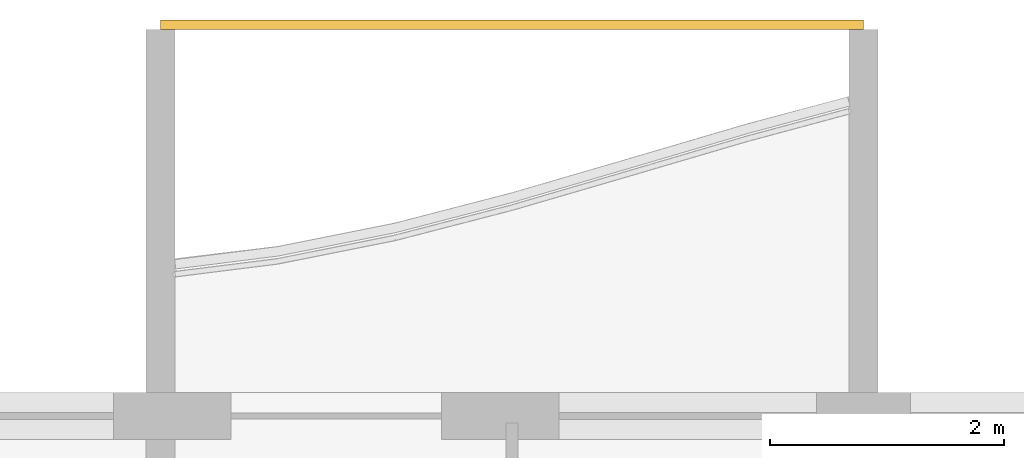
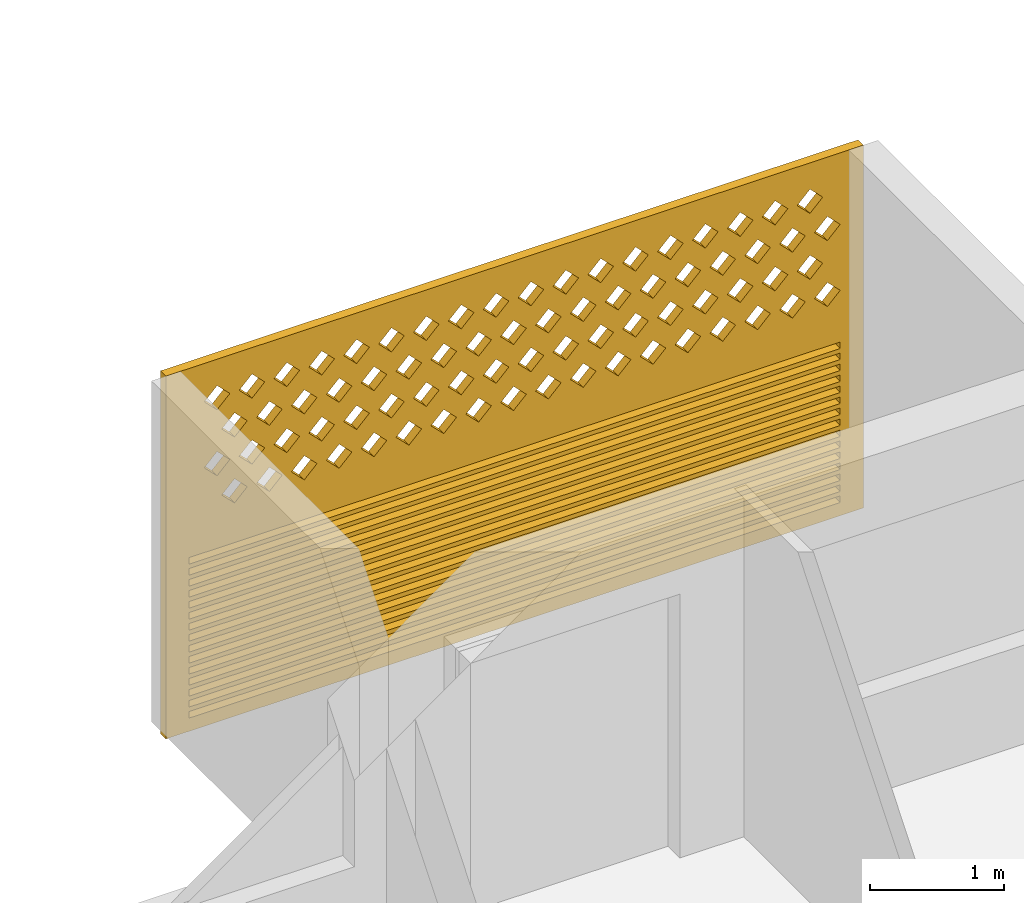
# One storey, part 18 of 26: 1 covering.
"""IFC4 building model written with IfcOpenShell, lengths in metres."""

from ifc_helpers import new_model, si_unit, direction, frame, origin, place, context, subcontext, project, spatial, polyline, outline, extrude, source, transform, mapped, material, material_profile, profile_set, type_object, element, save


model = new_model("IFC4")

# Units and contexts
model_context = context("Model", 3, precision=1e-05, world=origin(), true_north=direction((0.0, 1.0)))
body_context = subcontext(model_context, "Body", "Model", "MODEL_VIEW")
ifc_project = project(units=[si_unit("LENGTHUNIT", "METRE"), si_unit("AREAUNIT", "SQUARE_METRE"), si_unit("VOLUMEUNIT", "CUBIC_METRE"), si_unit("PLANEANGLEUNIT", "RADIAN"), si_unit("MASSUNIT", "GRAM", prefix="KILO")], contexts=[model_context])

# Site, building, storey
site_placement = place(None, origin())
site = spatial("IfcSite", under=ifc_project, at=site_placement, CompositionType="ELEMENT")
building_placement = place(site_placement, origin())
building = spatial("IfcBuilding", under=site, at=building_placement, Name="Poui Terraces", CompositionType="ELEMENT")
storey_placement = place(building_placement, frame((0.0, 0.0, 178.5)))
storey = spatial("IfcBuildingStorey", under=building, at=storey_placement, Name="L49", CompositionType="ELEMENT", Elevation=178.5)

# Covering
ifc_material = material(Name="Terracotta screen", Category="masonry")
ifc_material_profile = material_profile(ifc_material, outline(polyline([(-3.0, -1.64990234375), (3.0, -1.64990234375), (3.0, 1.64990234375), (-3.0, 1.64990234375), (-3.0, -1.64990234375)]), holes=[polyline([(-2.800048828125, 0.39990234375), (-2.68994140625, 0.2900390625), (-2.580078125, 0.39990234375), (-2.68994140625, 0.510009765625), (-2.800048828125, 0.39990234375)]), polyline([(-2.5, 0.39990234375), (-2.389892578125, 0.2900390625), (-2.280029296875, 0.39990234375), (-2.389892578125, 0.510009765625), (-2.5, 0.39990234375)]), polyline([(-2.199951171875, 0.39990234375), (-2.090087890625, 0.2900390625), (-1.97998046875, 0.39990234375), (-2.090087890625, 0.510009765625), (-2.199951171875, 0.39990234375)]), polyline([(-1.89990234375, 0.39990234375), (-1.7900390625, 0.2900390625), (-1.679931640625, 0.39990234375), (-1.7900390625, 0.510009765625), (-1.89990234375, 0.39990234375)]), polyline([(-1.60009765625, 0.39990234375), (-1.489990234375, 0.2900390625), (-1.3798828125, 0.39990234375), (-1.489990234375, 0.510009765625), (-1.60009765625, 0.39990234375)]), polyline([(-1.300048828125, 0.39990234375), (-1.18994140625, 0.2900390625), (-1.080078125, 0.39990234375), (-1.18994140625, 0.510009765625), (-1.300048828125, 0.39990234375)]), polyline([(-1.0, 0.39990234375), (-0.889892578125, 0.2900390625), (-0.780029296875, 0.39990234375), (-0.889892578125, 0.510009765625), (-1.0, 0.39990234375)]), polyline([(-0.699951171875, 0.39990234375), (-0.590087890625, 0.2900390625), (-0.47998046875, 0.39990234375), (-0.590087890625, 0.510009765625), (-0.699951171875, 0.39990234375)]), polyline([(-0.39990234375, 0.39990234375), (-0.2900390625, 0.2900390625), (-0.179931640625, 0.39990234375), (-0.2900390625, 0.510009765625), (-0.39990234375, 0.39990234375)]), polyline([(-0.10009765625, 0.39990234375), (0.010009765625, 0.2900390625), (0.1201171875, 0.39990234375), (0.010009765625, 0.510009765625), (-0.10009765625, 0.39990234375)]), polyline([(0.199951171875, 0.39990234375), (0.31005859375, 0.2900390625), (0.419921875, 0.39990234375), (0.31005859375, 0.510009765625), (0.199951171875, 0.39990234375)]), polyline([(0.5, 0.39990234375), (0.610107421875, 0.2900390625), (0.719970703125, 0.39990234375), (0.610107421875, 0.510009765625), (0.5, 0.39990234375)]), polyline([(0.800048828125, 0.39990234375), (0.909912109375, 0.2900390625), (1.02001953125, 0.39990234375), (0.909912109375, 0.510009765625), (0.800048828125, 0.39990234375)]), polyline([(1.10009765625, 0.39990234375), (1.2099609375, 0.2900390625), (1.320068359375, 0.39990234375), (1.2099609375, 0.510009765625), (1.10009765625, 0.39990234375)]), polyline([(1.39990234375, 0.39990234375), (1.510009765625, 0.2900390625), (1.6201171875, 0.39990234375), (1.510009765625, 0.510009765625), (1.39990234375, 0.39990234375)]), polyline([(1.699951171875, 0.39990234375), (1.81005859375, 0.2900390625), (1.919921875, 0.39990234375), (1.81005859375, 0.510009765625), (1.699951171875, 0.39990234375)]), polyline([(2.0, 0.39990234375), (2.110107421875, 0.2900390625), (2.219970703125, 0.39990234375), (2.110107421875, 0.510009765625), (2.0, 0.39990234375)]), polyline([(2.300048828125, 0.39990234375), (2.409912109375, 0.2900390625), (2.52001953125, 0.39990234375), (2.409912109375, 0.510009765625), (2.300048828125, 0.39990234375)]), polyline([(-2.64990234375, 0.699951171875), (-2.5400390625, 0.590087890625), (-2.429931640625, 0.699951171875), (-2.5400390625, 0.81005859375), (-2.64990234375, 0.699951171875)]), polyline([(-2.35009765625, 0.699951171875), (-2.239990234375, 0.590087890625), (-2.1298828125, 0.699951171875), (-2.239990234375, 0.81005859375), (-2.35009765625, 0.699951171875)]), polyline([(-2.050048828125, 0.699951171875), (-1.93994140625, 0.590087890625), (-1.830078125, 0.699951171875), (-1.93994140625, 0.81005859375), (-2.050048828125, 0.699951171875)]), polyline([(-1.75, 0.699951171875), (-1.639892578125, 0.590087890625), (-1.530029296875, 0.699951171875), (-1.639892578125, 0.81005859375), (-1.75, 0.699951171875)]), polyline([(-1.449951171875, 0.699951171875), (-1.340087890625, 0.590087890625), (-1.22998046875, 0.699951171875), (-1.340087890625, 0.81005859375), (-1.449951171875, 0.699951171875)]), polyline([(-1.14990234375, 0.699951171875), (-1.0400390625, 0.590087890625), (-0.929931640625, 0.699951171875), (-1.0400390625, 0.81005859375), (-1.14990234375, 0.699951171875)]), polyline([(-0.85009765625, 0.699951171875), (-0.739990234375, 0.590087890625), (-0.6298828125, 0.699951171875), (-0.739990234375, 0.81005859375), (-0.85009765625, 0.699951171875)]), polyline([(-0.550048828125, 0.699951171875), (-0.43994140625, 0.590087890625), (-0.330078125, 0.699951171875), (-0.43994140625, 0.81005859375), (-0.550048828125, 0.699951171875)]), polyline([(-0.25, 0.699951171875), (-0.139892578125, 0.590087890625), (-0.030029296875, 0.699951171875), (-0.139892578125, 0.81005859375), (-0.25, 0.699951171875)]), polyline([(0.050048828125, 0.699951171875), (0.159912109375, 0.590087890625), (0.27001953125, 0.699951171875), (0.159912109375, 0.81005859375), (0.050048828125, 0.699951171875)]), polyline([(0.35009765625, 0.699951171875), (0.4599609375, 0.590087890625), (0.570068359375, 0.699951171875), (0.4599609375, 0.81005859375), (0.35009765625, 0.699951171875)]), polyline([(0.64990234375, 0.699951171875), (0.760009765625, 0.590087890625), (0.8701171875, 0.699951171875), (0.760009765625, 0.81005859375), (0.64990234375, 0.699951171875)]), polyline([(0.949951171875, 0.699951171875), (1.06005859375, 0.590087890625), (1.169921875, 0.699951171875), (1.06005859375, 0.81005859375), (0.949951171875, 0.699951171875)]), polyline([(1.25, 0.699951171875), (1.360107421875, 0.590087890625), (1.469970703125, 0.699951171875), (1.360107421875, 0.81005859375), (1.25, 0.699951171875)]), polyline([(1.550048828125, 0.699951171875), (1.659912109375, 0.590087890625), (1.77001953125, 0.699951171875), (1.659912109375, 0.81005859375), (1.550048828125, 0.699951171875)]), polyline([(1.85009765625, 0.699951171875), (1.9599609375, 0.590087890625), (2.070068359375, 0.699951171875), (1.9599609375, 0.81005859375), (1.85009765625, 0.699951171875)]), polyline([(2.14990234375, 0.699951171875), (2.260009765625, 0.590087890625), (2.3701171875, 0.699951171875), (2.260009765625, 0.81005859375), (2.14990234375, 0.699951171875)]), polyline([(2.449951171875, 0.699951171875), (2.56005859375, 0.590087890625), (2.669921875, 0.699951171875), (2.56005859375, 0.81005859375), (2.449951171875, 0.699951171875)]), polyline([(-2.800048828125, 1.0), (-2.68994140625, 0.889892578125), (-2.580078125, 1.0), (-2.68994140625, 1.110107421875), (-2.800048828125, 1.0)]), polyline([(-2.5, 1.0), (-2.389892578125, 0.889892578125), (-2.280029296875, 1.0), (-2.389892578125, 1.110107421875), (-2.5, 1.0)]), polyline([(-2.199951171875, 1.0), (-2.090087890625, 0.889892578125), (-1.97998046875, 1.0), (-2.090087890625, 1.110107421875), (-2.199951171875, 1.0)]), polyline([(-1.89990234375, 1.0), (-1.7900390625, 0.889892578125), (-1.679931640625, 1.0), (-1.7900390625, 1.110107421875), (-1.89990234375, 1.0)]), polyline([(-1.60009765625, 1.0), (-1.489990234375, 0.889892578125), (-1.3798828125, 1.0), (-1.489990234375, 1.110107421875), (-1.60009765625, 1.0)]), polyline([(-1.300048828125, 1.0), (-1.18994140625, 0.889892578125), (-1.080078125, 1.0), (-1.18994140625, 1.110107421875), (-1.300048828125, 1.0)]), polyline([(-1.0, 1.0), (-0.889892578125, 0.889892578125), (-0.780029296875, 1.0), (-0.889892578125, 1.110107421875), (-1.0, 1.0)]), polyline([(-0.699951171875, 1.0), (-0.590087890625, 0.889892578125), (-0.47998046875, 1.0), (-0.590087890625, 1.110107421875), (-0.699951171875, 1.0)]), polyline([(-0.39990234375, 1.0), (-0.2900390625, 0.889892578125), (-0.179931640625, 1.0), (-0.2900390625, 1.110107421875), (-0.39990234375, 1.0)]), polyline([(-0.10009765625, 1.0), (0.010009765625, 0.889892578125), (0.1201171875, 1.0), (0.010009765625, 1.110107421875), (-0.10009765625, 1.0)]), polyline([(0.199951171875, 1.0), (0.31005859375, 0.889892578125), (0.419921875, 1.0), (0.31005859375, 1.110107421875), (0.199951171875, 1.0)]), polyline([(0.5, 1.0), (0.610107421875, 0.889892578125), (0.719970703125, 1.0), (0.610107421875, 1.110107421875), (0.5, 1.0)]), polyline([(0.800048828125, 1.0), (0.909912109375, 0.889892578125), (1.02001953125, 1.0), (0.909912109375, 1.110107421875), (0.800048828125, 1.0)]), polyline([(1.10009765625, 1.0), (1.2099609375, 0.889892578125), (1.320068359375, 1.0), (1.2099609375, 1.110107421875), (1.10009765625, 1.0)]), polyline([(1.39990234375, 1.0), (1.510009765625, 0.889892578125), (1.6201171875, 1.0), (1.510009765625, 1.110107421875), (1.39990234375, 1.0)]), polyline([(1.699951171875, 1.0), (1.81005859375, 0.889892578125), (1.919921875, 1.0), (1.81005859375, 1.110107421875), (1.699951171875, 1.0)]), polyline([(2.0, 1.0), (2.110107421875, 0.889892578125), (2.219970703125, 1.0), (2.110107421875, 1.110107421875), (2.0, 1.0)]), polyline([(2.300048828125, 1.0), (2.409912109375, 0.889892578125), (2.52001953125, 1.0), (2.409912109375, 1.110107421875), (2.300048828125, 1.0)]), polyline([(-2.64990234375, 1.300048828125), (-2.5400390625, 1.18994140625), (-2.429931640625, 1.300048828125), (-2.5400390625, 1.409912109375), (-2.64990234375, 1.300048828125)]), polyline([(-2.35009765625, 1.300048828125), (-2.239990234375, 1.18994140625), (-2.1298828125, 1.300048828125), (-2.239990234375, 1.409912109375), (-2.35009765625, 1.300048828125)]), polyline([(-2.050048828125, 1.300048828125), (-1.93994140625, 1.18994140625), (-1.830078125, 1.300048828125), (-1.93994140625, 1.409912109375), (-2.050048828125, 1.300048828125)]), polyline([(-1.75, 1.300048828125), (-1.639892578125, 1.18994140625), (-1.530029296875, 1.300048828125), (-1.639892578125, 1.409912109375), (-1.75, 1.300048828125)]), polyline([(-1.449951171875, 1.300048828125), (-1.340087890625, 1.18994140625), (-1.22998046875, 1.300048828125), (-1.340087890625, 1.409912109375), (-1.449951171875, 1.300048828125)]), polyline([(-1.14990234375, 1.300048828125), (-1.0400390625, 1.18994140625), (-0.929931640625, 1.300048828125), (-1.0400390625, 1.409912109375), (-1.14990234375, 1.300048828125)]), polyline([(-0.85009765625, 1.300048828125), (-0.739990234375, 1.18994140625), (-0.6298828125, 1.300048828125), (-0.739990234375, 1.409912109375), (-0.85009765625, 1.300048828125)]), polyline([(-0.550048828125, 1.300048828125), (-0.43994140625, 1.18994140625), (-0.330078125, 1.300048828125), (-0.43994140625, 1.409912109375), (-0.550048828125, 1.300048828125)]), polyline([(-0.25, 1.300048828125), (-0.139892578125, 1.18994140625), (-0.030029296875, 1.300048828125), (-0.139892578125, 1.409912109375), (-0.25, 1.300048828125)]), polyline([(0.050048828125, 1.300048828125), (0.159912109375, 1.18994140625), (0.27001953125, 1.300048828125), (0.159912109375, 1.409912109375), (0.050048828125, 1.300048828125)]), polyline([(0.35009765625, 1.300048828125), (0.4599609375, 1.18994140625), (0.570068359375, 1.300048828125), (0.4599609375, 1.409912109375), (0.35009765625, 1.300048828125)]), polyline([(0.64990234375, 1.300048828125), (0.760009765625, 1.18994140625), (0.8701171875, 1.300048828125), (0.760009765625, 1.409912109375), (0.64990234375, 1.300048828125)]), polyline([(0.949951171875, 1.300048828125), (1.06005859375, 1.18994140625), (1.169921875, 1.300048828125), (1.06005859375, 1.409912109375), (0.949951171875, 1.300048828125)]), polyline([(1.25, 1.300048828125), (1.360107421875, 1.18994140625), (1.469970703125, 1.300048828125), (1.360107421875, 1.409912109375), (1.25, 1.300048828125)]), polyline([(1.550048828125, 1.300048828125), (1.659912109375, 1.18994140625), (1.77001953125, 1.300048828125), (1.659912109375, 1.409912109375), (1.550048828125, 1.300048828125)]), polyline([(1.85009765625, 1.300048828125), (1.9599609375, 1.18994140625), (2.070068359375, 1.300048828125), (1.9599609375, 1.409912109375), (1.85009765625, 1.300048828125)]), polyline([(2.14990234375, 1.300048828125), (2.260009765625, 1.18994140625), (2.3701171875, 1.300048828125), (2.260009765625, 1.409912109375), (2.14990234375, 1.300048828125)]), polyline([(2.449951171875, 1.300048828125), (2.56005859375, 1.18994140625), (2.669921875, 1.300048828125), (2.56005859375, 1.409912109375), (2.449951171875, 1.300048828125)]), polyline([(-2.800048828125, -1.530029296875), (2.800048828125, -1.530029296875), (2.800048828125, -1.469970703125), (-2.800048828125, -1.469970703125), (-2.800048828125, -1.530029296875)]), polyline([(-2.800048828125, -1.429931640625), (2.800048828125, -1.429931640625), (2.800048828125, -1.3701171875), (-2.800048828125, -1.3701171875), (-2.800048828125, -1.429931640625)]), polyline([(-2.800048828125, -1.330078125), (2.800048828125, -1.330078125), (2.800048828125, -1.27001953125), (-2.800048828125, -1.27001953125), (-2.800048828125, -1.330078125)]), polyline([(-2.800048828125, -1.22998046875), (2.800048828125, -1.22998046875), (2.800048828125, -1.169921875), (-2.800048828125, -1.169921875), (-2.800048828125, -1.22998046875)]), polyline([(-2.800048828125, -1.1298828125), (2.800048828125, -1.1298828125), (2.800048828125, -1.070068359375), (-2.800048828125, -1.070068359375), (-2.800048828125, -1.1298828125)]), polyline([(-2.800048828125, -1.030029296875), (2.800048828125, -1.030029296875), (2.800048828125, -0.969970703125), (-2.800048828125, -0.969970703125), (-2.800048828125, -1.030029296875)]), polyline([(-2.800048828125, -0.929931640625), (2.800048828125, -0.929931640625), (2.800048828125, -0.8701171875), (-2.800048828125, -0.8701171875), (-2.800048828125, -0.929931640625)]), polyline([(-2.800048828125, -0.830078125), (2.800048828125, -0.830078125), (2.800048828125, -0.77001953125), (-2.800048828125, -0.77001953125), (-2.800048828125, -0.830078125)]), polyline([(-2.800048828125, -0.72998046875), (2.800048828125, -0.72998046875), (2.800048828125, -0.669921875), (-2.800048828125, -0.669921875), (-2.800048828125, -0.72998046875)]), polyline([(-2.800048828125, -0.6298828125), (2.800048828125, -0.6298828125), (2.800048828125, -0.570068359375), (-2.800048828125, -0.570068359375), (-2.800048828125, -0.6298828125)]), polyline([(-2.800048828125, -0.530029296875), (2.800048828125, -0.530029296875), (2.800048828125, -0.469970703125), (-2.800048828125, -0.469970703125), (-2.800048828125, -0.530029296875)]), polyline([(-2.800048828125, -0.429931640625), (2.800048828125, -0.429931640625), (2.800048828125, -0.3701171875), (-2.800048828125, -0.3701171875), (-2.800048828125, -0.429931640625)]), polyline([(-2.800048828125, -0.330078125), (2.800048828125, -0.330078125), (2.800048828125, -0.27001953125), (-2.800048828125, -0.27001953125), (-2.800048828125, -0.330078125)]), polyline([(-2.800048828125, -0.22998046875), (2.800048828125, -0.22998046875), (2.800048828125, -0.169921875), (-2.800048828125, -0.169921875), (-2.800048828125, -0.22998046875)]), polyline([(-2.800048828125, -0.1298828125), (2.800048828125, -0.1298828125), (2.800048828125, -0.070068359375), (-2.800048828125, -0.070068359375), (-2.800048828125, -0.1298828125)])]), Name="TERRACOTTA SCREEN AND JALOUSIE LOUVRE 6000X3300")
ifc_profile_set = profile_set([ifc_material_profile], Name="Terracotta screen")
covering_type = type_object("IfcCoveringType", Name="TERRACOTTA SCREEN AND JALOUSIE LOUVRE 6000X3300", PredefinedType="CLADDING", material=ifc_profile_set)
shared_shape = source(origin(), body_context, "Body", "SweptSolid", [
    extrude(outline(polyline([(-3.0, -1.64990234375), (3.0, -1.64990234375), (3.0, 1.64990234375), (-3.0, 1.64990234375), (-3.0, -1.64990234375)]), holes=[polyline([(-2.800048828125, 0.39990234375), (-2.68994140625, 0.2900390625), (-2.580078125, 0.39990234375), (-2.68994140625, 0.510009765625), (-2.800048828125, 0.39990234375)]), polyline([(-2.5, 0.39990234375), (-2.389892578125, 0.2900390625), (-2.280029296875, 0.39990234375), (-2.389892578125, 0.510009765625), (-2.5, 0.39990234375)]), polyline([(-2.199951171875, 0.39990234375), (-2.090087890625, 0.2900390625), (-1.97998046875, 0.39990234375), (-2.090087890625, 0.510009765625), (-2.199951171875, 0.39990234375)]), polyline([(-1.89990234375, 0.39990234375), (-1.7900390625, 0.2900390625), (-1.679931640625, 0.39990234375), (-1.7900390625, 0.510009765625), (-1.89990234375, 0.39990234375)]), polyline([(-1.60009765625, 0.39990234375), (-1.489990234375, 0.2900390625), (-1.3798828125, 0.39990234375), (-1.489990234375, 0.510009765625), (-1.60009765625, 0.39990234375)]), polyline([(-1.300048828125, 0.39990234375), (-1.18994140625, 0.2900390625), (-1.080078125, 0.39990234375), (-1.18994140625, 0.510009765625), (-1.300048828125, 0.39990234375)]), polyline([(-1.0, 0.39990234375), (-0.889892578125, 0.2900390625), (-0.780029296875, 0.39990234375), (-0.889892578125, 0.510009765625), (-1.0, 0.39990234375)]), polyline([(-0.699951171875, 0.39990234375), (-0.590087890625, 0.2900390625), (-0.47998046875, 0.39990234375), (-0.590087890625, 0.510009765625), (-0.699951171875, 0.39990234375)]), polyline([(-0.39990234375, 0.39990234375), (-0.2900390625, 0.2900390625), (-0.179931640625, 0.39990234375), (-0.2900390625, 0.510009765625), (-0.39990234375, 0.39990234375)]), polyline([(-0.10009765625, 0.39990234375), (0.010009765625, 0.2900390625), (0.1201171875, 0.39990234375), (0.010009765625, 0.510009765625), (-0.10009765625, 0.39990234375)]), polyline([(0.199951171875, 0.39990234375), (0.31005859375, 0.2900390625), (0.419921875, 0.39990234375), (0.31005859375, 0.510009765625), (0.199951171875, 0.39990234375)]), polyline([(0.5, 0.39990234375), (0.610107421875, 0.2900390625), (0.719970703125, 0.39990234375), (0.610107421875, 0.510009765625), (0.5, 0.39990234375)]), polyline([(0.800048828125, 0.39990234375), (0.909912109375, 0.2900390625), (1.02001953125, 0.39990234375), (0.909912109375, 0.510009765625), (0.800048828125, 0.39990234375)]), polyline([(1.10009765625, 0.39990234375), (1.2099609375, 0.2900390625), (1.320068359375, 0.39990234375), (1.2099609375, 0.510009765625), (1.10009765625, 0.39990234375)]), polyline([(1.39990234375, 0.39990234375), (1.510009765625, 0.2900390625), (1.6201171875, 0.39990234375), (1.510009765625, 0.510009765625), (1.39990234375, 0.39990234375)]), polyline([(1.699951171875, 0.39990234375), (1.81005859375, 0.2900390625), (1.919921875, 0.39990234375), (1.81005859375, 0.510009765625), (1.699951171875, 0.39990234375)]), polyline([(2.0, 0.39990234375), (2.110107421875, 0.2900390625), (2.219970703125, 0.39990234375), (2.110107421875, 0.510009765625), (2.0, 0.39990234375)]), polyline([(2.300048828125, 0.39990234375), (2.409912109375, 0.2900390625), (2.52001953125, 0.39990234375), (2.409912109375, 0.510009765625), (2.300048828125, 0.39990234375)]), polyline([(-2.64990234375, 0.699951171875), (-2.5400390625, 0.590087890625), (-2.429931640625, 0.699951171875), (-2.5400390625, 0.81005859375), (-2.64990234375, 0.699951171875)]), polyline([(-2.35009765625, 0.699951171875), (-2.239990234375, 0.590087890625), (-2.1298828125, 0.699951171875), (-2.239990234375, 0.81005859375), (-2.35009765625, 0.699951171875)]), polyline([(-2.050048828125, 0.699951171875), (-1.93994140625, 0.590087890625), (-1.830078125, 0.699951171875), (-1.93994140625, 0.81005859375), (-2.050048828125, 0.699951171875)]), polyline([(-1.75, 0.699951171875), (-1.639892578125, 0.590087890625), (-1.530029296875, 0.699951171875), (-1.639892578125, 0.81005859375), (-1.75, 0.699951171875)]), polyline([(-1.449951171875, 0.699951171875), (-1.340087890625, 0.590087890625), (-1.22998046875, 0.699951171875), (-1.340087890625, 0.81005859375), (-1.449951171875, 0.699951171875)]), polyline([(-1.14990234375, 0.699951171875), (-1.0400390625, 0.590087890625), (-0.929931640625, 0.699951171875), (-1.0400390625, 0.81005859375), (-1.14990234375, 0.699951171875)]), polyline([(-0.85009765625, 0.699951171875), (-0.739990234375, 0.590087890625), (-0.6298828125, 0.699951171875), (-0.739990234375, 0.81005859375), (-0.85009765625, 0.699951171875)]), polyline([(-0.550048828125, 0.699951171875), (-0.43994140625, 0.590087890625), (-0.330078125, 0.699951171875), (-0.43994140625, 0.81005859375), (-0.550048828125, 0.699951171875)]), polyline([(-0.25, 0.699951171875), (-0.139892578125, 0.590087890625), (-0.030029296875, 0.699951171875), (-0.139892578125, 0.81005859375), (-0.25, 0.699951171875)]), polyline([(0.050048828125, 0.699951171875), (0.159912109375, 0.590087890625), (0.27001953125, 0.699951171875), (0.159912109375, 0.81005859375), (0.050048828125, 0.699951171875)]), polyline([(0.35009765625, 0.699951171875), (0.4599609375, 0.590087890625), (0.570068359375, 0.699951171875), (0.4599609375, 0.81005859375), (0.35009765625, 0.699951171875)]), polyline([(0.64990234375, 0.699951171875), (0.760009765625, 0.590087890625), (0.8701171875, 0.699951171875), (0.760009765625, 0.81005859375), (0.64990234375, 0.699951171875)]), polyline([(0.949951171875, 0.699951171875), (1.06005859375, 0.590087890625), (1.169921875, 0.699951171875), (1.06005859375, 0.81005859375), (0.949951171875, 0.699951171875)]), polyline([(1.25, 0.699951171875), (1.360107421875, 0.590087890625), (1.469970703125, 0.699951171875), (1.360107421875, 0.81005859375), (1.25, 0.699951171875)]), polyline([(1.550048828125, 0.699951171875), (1.659912109375, 0.590087890625), (1.77001953125, 0.699951171875), (1.659912109375, 0.81005859375), (1.550048828125, 0.699951171875)]), polyline([(1.85009765625, 0.699951171875), (1.9599609375, 0.590087890625), (2.070068359375, 0.699951171875), (1.9599609375, 0.81005859375), (1.85009765625, 0.699951171875)]), polyline([(2.14990234375, 0.699951171875), (2.260009765625, 0.590087890625), (2.3701171875, 0.699951171875), (2.260009765625, 0.81005859375), (2.14990234375, 0.699951171875)]), polyline([(2.449951171875, 0.699951171875), (2.56005859375, 0.590087890625), (2.669921875, 0.699951171875), (2.56005859375, 0.81005859375), (2.449951171875, 0.699951171875)]), polyline([(-2.800048828125, 1.0), (-2.68994140625, 0.889892578125), (-2.580078125, 1.0), (-2.68994140625, 1.110107421875), (-2.800048828125, 1.0)]), polyline([(-2.5, 1.0), (-2.389892578125, 0.889892578125), (-2.280029296875, 1.0), (-2.389892578125, 1.110107421875), (-2.5, 1.0)]), polyline([(-2.199951171875, 1.0), (-2.090087890625, 0.889892578125), (-1.97998046875, 1.0), (-2.090087890625, 1.110107421875), (-2.199951171875, 1.0)]), polyline([(-1.89990234375, 1.0), (-1.7900390625, 0.889892578125), (-1.679931640625, 1.0), (-1.7900390625, 1.110107421875), (-1.89990234375, 1.0)]), polyline([(-1.60009765625, 1.0), (-1.489990234375, 0.889892578125), (-1.3798828125, 1.0), (-1.489990234375, 1.110107421875), (-1.60009765625, 1.0)]), polyline([(-1.300048828125, 1.0), (-1.18994140625, 0.889892578125), (-1.080078125, 1.0), (-1.18994140625, 1.110107421875), (-1.300048828125, 1.0)]), polyline([(-1.0, 1.0), (-0.889892578125, 0.889892578125), (-0.780029296875, 1.0), (-0.889892578125, 1.110107421875), (-1.0, 1.0)]), polyline([(-0.699951171875, 1.0), (-0.590087890625, 0.889892578125), (-0.47998046875, 1.0), (-0.590087890625, 1.110107421875), (-0.699951171875, 1.0)]), polyline([(-0.39990234375, 1.0), (-0.2900390625, 0.889892578125), (-0.179931640625, 1.0), (-0.2900390625, 1.110107421875), (-0.39990234375, 1.0)]), polyline([(-0.10009765625, 1.0), (0.010009765625, 0.889892578125), (0.1201171875, 1.0), (0.010009765625, 1.110107421875), (-0.10009765625, 1.0)]), polyline([(0.199951171875, 1.0), (0.31005859375, 0.889892578125), (0.419921875, 1.0), (0.31005859375, 1.110107421875), (0.199951171875, 1.0)]), polyline([(0.5, 1.0), (0.610107421875, 0.889892578125), (0.719970703125, 1.0), (0.610107421875, 1.110107421875), (0.5, 1.0)]), polyline([(0.800048828125, 1.0), (0.909912109375, 0.889892578125), (1.02001953125, 1.0), (0.909912109375, 1.110107421875), (0.800048828125, 1.0)]), polyline([(1.10009765625, 1.0), (1.2099609375, 0.889892578125), (1.320068359375, 1.0), (1.2099609375, 1.110107421875), (1.10009765625, 1.0)]), polyline([(1.39990234375, 1.0), (1.510009765625, 0.889892578125), (1.6201171875, 1.0), (1.510009765625, 1.110107421875), (1.39990234375, 1.0)]), polyline([(1.699951171875, 1.0), (1.81005859375, 0.889892578125), (1.919921875, 1.0), (1.81005859375, 1.110107421875), (1.699951171875, 1.0)]), polyline([(2.0, 1.0), (2.110107421875, 0.889892578125), (2.219970703125, 1.0), (2.110107421875, 1.110107421875), (2.0, 1.0)]), polyline([(2.300048828125, 1.0), (2.409912109375, 0.889892578125), (2.52001953125, 1.0), (2.409912109375, 1.110107421875), (2.300048828125, 1.0)]), polyline([(-2.64990234375, 1.300048828125), (-2.5400390625, 1.18994140625), (-2.429931640625, 1.300048828125), (-2.5400390625, 1.409912109375), (-2.64990234375, 1.300048828125)]), polyline([(-2.35009765625, 1.300048828125), (-2.239990234375, 1.18994140625), (-2.1298828125, 1.300048828125), (-2.239990234375, 1.409912109375), (-2.35009765625, 1.300048828125)]), polyline([(-2.050048828125, 1.300048828125), (-1.93994140625, 1.18994140625), (-1.830078125, 1.300048828125), (-1.93994140625, 1.409912109375), (-2.050048828125, 1.300048828125)]), polyline([(-1.75, 1.300048828125), (-1.639892578125, 1.18994140625), (-1.530029296875, 1.300048828125), (-1.639892578125, 1.409912109375), (-1.75, 1.300048828125)]), polyline([(-1.449951171875, 1.300048828125), (-1.340087890625, 1.18994140625), (-1.22998046875, 1.300048828125), (-1.340087890625, 1.409912109375), (-1.449951171875, 1.300048828125)]), polyline([(-1.14990234375, 1.300048828125), (-1.0400390625, 1.18994140625), (-0.929931640625, 1.300048828125), (-1.0400390625, 1.409912109375), (-1.14990234375, 1.300048828125)]), polyline([(-0.85009765625, 1.300048828125), (-0.739990234375, 1.18994140625), (-0.6298828125, 1.300048828125), (-0.739990234375, 1.409912109375), (-0.85009765625, 1.300048828125)]), polyline([(-0.550048828125, 1.300048828125), (-0.43994140625, 1.18994140625), (-0.330078125, 1.300048828125), (-0.43994140625, 1.409912109375), (-0.550048828125, 1.300048828125)]), polyline([(-0.25, 1.300048828125), (-0.139892578125, 1.18994140625), (-0.030029296875, 1.300048828125), (-0.139892578125, 1.409912109375), (-0.25, 1.300048828125)]), polyline([(0.050048828125, 1.300048828125), (0.159912109375, 1.18994140625), (0.27001953125, 1.300048828125), (0.159912109375, 1.409912109375), (0.050048828125, 1.300048828125)]), polyline([(0.35009765625, 1.300048828125), (0.4599609375, 1.18994140625), (0.570068359375, 1.300048828125), (0.4599609375, 1.409912109375), (0.35009765625, 1.300048828125)]), polyline([(0.64990234375, 1.300048828125), (0.760009765625, 1.18994140625), (0.8701171875, 1.300048828125), (0.760009765625, 1.409912109375), (0.64990234375, 1.300048828125)]), polyline([(0.949951171875, 1.300048828125), (1.06005859375, 1.18994140625), (1.169921875, 1.300048828125), (1.06005859375, 1.409912109375), (0.949951171875, 1.300048828125)]), polyline([(1.25, 1.300048828125), (1.360107421875, 1.18994140625), (1.469970703125, 1.300048828125), (1.360107421875, 1.409912109375), (1.25, 1.300048828125)]), polyline([(1.550048828125, 1.300048828125), (1.659912109375, 1.18994140625), (1.77001953125, 1.300048828125), (1.659912109375, 1.409912109375), (1.550048828125, 1.300048828125)]), polyline([(1.85009765625, 1.300048828125), (1.9599609375, 1.18994140625), (2.070068359375, 1.300048828125), (1.9599609375, 1.409912109375), (1.85009765625, 1.300048828125)]), polyline([(2.14990234375, 1.300048828125), (2.260009765625, 1.18994140625), (2.3701171875, 1.300048828125), (2.260009765625, 1.409912109375), (2.14990234375, 1.300048828125)]), polyline([(2.449951171875, 1.300048828125), (2.56005859375, 1.18994140625), (2.669921875, 1.300048828125), (2.56005859375, 1.409912109375), (2.449951171875, 1.300048828125)]), polyline([(-2.800048828125, -1.530029296875), (2.800048828125, -1.530029296875), (2.800048828125, -1.469970703125), (-2.800048828125, -1.469970703125), (-2.800048828125, -1.530029296875)]), polyline([(-2.800048828125, -1.429931640625), (2.800048828125, -1.429931640625), (2.800048828125, -1.3701171875), (-2.800048828125, -1.3701171875), (-2.800048828125, -1.429931640625)]), polyline([(-2.800048828125, -1.330078125), (2.800048828125, -1.330078125), (2.800048828125, -1.27001953125), (-2.800048828125, -1.27001953125), (-2.800048828125, -1.330078125)]), polyline([(-2.800048828125, -1.22998046875), (2.800048828125, -1.22998046875), (2.800048828125, -1.169921875), (-2.800048828125, -1.169921875), (-2.800048828125, -1.22998046875)]), polyline([(-2.800048828125, -1.1298828125), (2.800048828125, -1.1298828125), (2.800048828125, -1.070068359375), (-2.800048828125, -1.070068359375), (-2.800048828125, -1.1298828125)]), polyline([(-2.800048828125, -1.030029296875), (2.800048828125, -1.030029296875), (2.800048828125, -0.969970703125), (-2.800048828125, -0.969970703125), (-2.800048828125, -1.030029296875)]), polyline([(-2.800048828125, -0.929931640625), (2.800048828125, -0.929931640625), (2.800048828125, -0.8701171875), (-2.800048828125, -0.8701171875), (-2.800048828125, -0.929931640625)]), polyline([(-2.800048828125, -0.830078125), (2.800048828125, -0.830078125), (2.800048828125, -0.77001953125), (-2.800048828125, -0.77001953125), (-2.800048828125, -0.830078125)]), polyline([(-2.800048828125, -0.72998046875), (2.800048828125, -0.72998046875), (2.800048828125, -0.669921875), (-2.800048828125, -0.669921875), (-2.800048828125, -0.72998046875)]), polyline([(-2.800048828125, -0.6298828125), (2.800048828125, -0.6298828125), (2.800048828125, -0.570068359375), (-2.800048828125, -0.570068359375), (-2.800048828125, -0.6298828125)]), polyline([(-2.800048828125, -0.530029296875), (2.800048828125, -0.530029296875), (2.800048828125, -0.469970703125), (-2.800048828125, -0.469970703125), (-2.800048828125, -0.530029296875)]), polyline([(-2.800048828125, -0.429931640625), (2.800048828125, -0.429931640625), (2.800048828125, -0.3701171875), (-2.800048828125, -0.3701171875), (-2.800048828125, -0.429931640625)]), polyline([(-2.800048828125, -0.330078125), (2.800048828125, -0.330078125), (2.800048828125, -0.27001953125), (-2.800048828125, -0.27001953125), (-2.800048828125, -0.330078125)]), polyline([(-2.800048828125, -0.22998046875), (2.800048828125, -0.22998046875), (2.800048828125, -0.169921875), (-2.800048828125, -0.169921875), (-2.800048828125, -0.22998046875)]), polyline([(-2.800048828125, -0.1298828125), (2.800048828125, -0.1298828125), (2.800048828125, -0.070068359375), (-2.800048828125, -0.070068359375), (-2.800048828125, -0.1298828125)])]), origin(), (0.0, 0.0, 1.0), 0.080078125),
])
covering_placement = place(storey_placement, frame((39.0, 44.5, 1.449951171875), z_axis=(0.0, 1.0, 0.0), x_axis=(-1.0, 0.0, 0.0)))
element("IfcCovering", 1, at=covering_placement, inside=storey, type_object=covering_type, Name="SOLAR SCREEN AND JALOUSIE LOUVRE", PredefinedType="CLADDING", context=body_context, shape_type="MappedRepresentation", body=[
    mapped(shared_shape, transform((0.0, 0.0, 0.0))),
])

save(model, "model.ifc")
